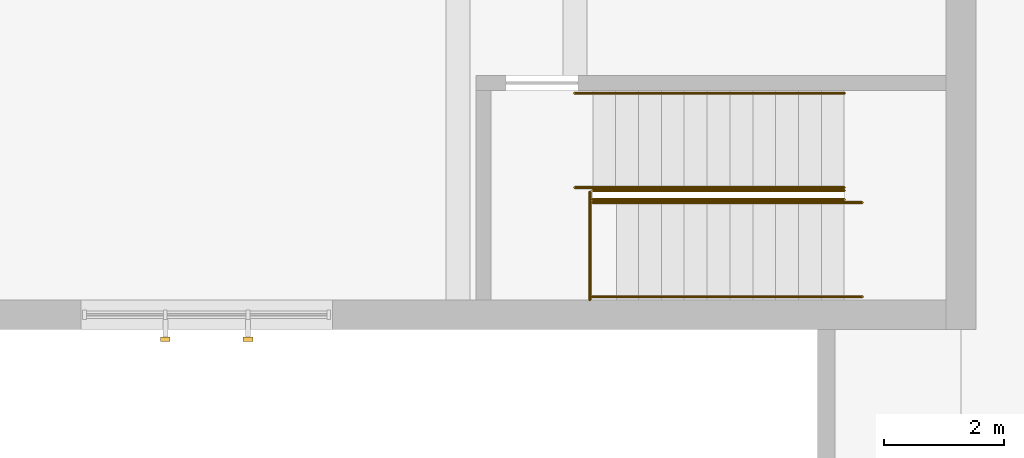
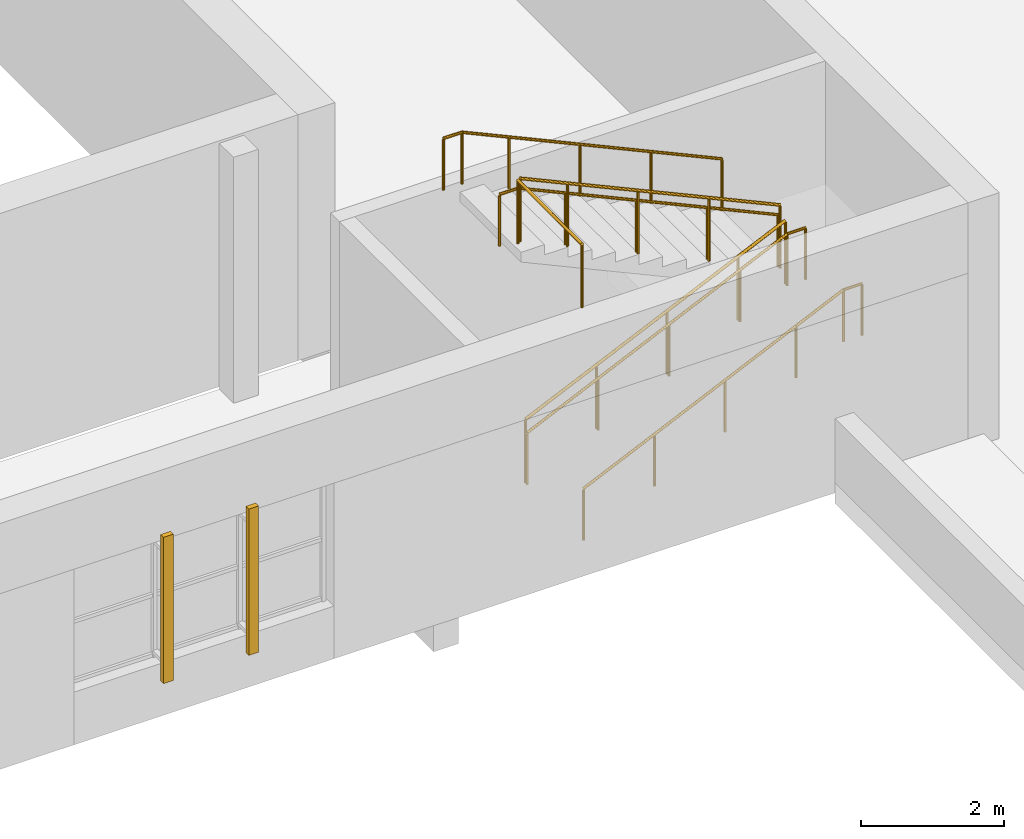
# One storey, part 56 of 60: 7 railings, 2 shading devices.
"""IFC4 building model written with IfcOpenShell, lengths in metres."""

import ifcopenshell
import ifcopenshell.guid

model = None  # the IFC model being written
_history = None  # IfcOwnerHistory: only IFC2X3 demands one
_inside = {}  # id of a spatial element -> (the spatial element, [elements in it])
_under = {}  # id of a project, library or spatial element -> (it, [spatial elements below it])
_declared = {}  # id of a project -> (the project, [libraries it declares])
_typed = {}  # id of a type object -> (the type object, [elements of that type])
_made_of = {}  # id of a material, layer set ... -> (it, [elements and type objects made of it])


def new_model(schema):
    """Start an empty IFC model of exactly this schema.

    Asked for "IFC4X3", IfcOpenShell would pick the latest addendum, in which some entities
    have other attributes; the version numbers below select the first issue.
    IFC2X3 requires an IfcOwnerHistory on every rooted entity: one is made here for all.
    """
    global model, _history
    if schema == "IFC4X3":
        model = ifcopenshell.file(schema_version=(4, 3, 0, 0))
    else:
        model = ifcopenshell.file(schema=schema)
    _inside.clear()
    _under.clear()
    _declared.clear()
    _typed.clear()
    _made_of.clear()
    _history = None
    if model.schema == "IFC2X3":
        org = make("IfcOrganization", Name="unknown")
        user = make(
            "IfcPersonAndOrganization",
            ThePerson=make("IfcPerson", FamilyName="unknown"),
            TheOrganization=org,
        )
        app = make(
            "IfcApplication",
            ApplicationDeveloper=org,
            Version="unknown",
            ApplicationFullName="unknown",
            ApplicationIdentifier="unknown",
        )
        _history = make(
            "IfcOwnerHistory",
            OwningUser=user,
            OwningApplication=app,
            ChangeAction="ADDED",
            CreationDate=0,
        )
    return model


def make(cls, **values):
    """One entity of the class cls with the attributes given. An attribute that is None is left unset."""
    return model.create_entity(
        cls, **{name: value for name, value in values.items() if value is not None}
    )


def rooted(cls, **values):
    """An entity with a GlobalId (a new one), such as an element, a storey or a relation."""
    return make(cls, GlobalId=ifcopenshell.guid.new(), OwnerHistory=_history, **values)


def si_unit(unit_type, name, prefix=None):
    """IfcSIUnit, for example si_unit("LENGTHUNIT", "METRE", prefix="MILLI")."""
    return make("IfcSIUnit", UnitType=unit_type, Prefix=prefix, Name=name)


def assignment(units):
    """IfcUnitAssignment: the units of a project."""
    return None if units is None else make("IfcUnitAssignment", Units=units)


def point(xyz):
    """IfcCartesianPoint."""
    return None if xyz is None else make("IfcCartesianPoint", Coordinates=xyz)


def direction(xyz):
    """IfcDirection."""
    return None if xyz is None else make("IfcDirection", DirectionRatios=xyz)


def frame(location, z_axis=None, x_axis=None):
    """IfcAxis2Placement3D, a coordinate frame: its origin and axes. An axis left out is left unset."""
    return make(
        "IfcAxis2Placement3D",
        Location=point(location),
        Axis=direction(z_axis),
        RefDirection=direction(x_axis),
    )


def frame_2d(location, x_axis=None):
    """IfcAxis2Placement2D, a coordinate frame in the plane: its origin and x axis."""
    return make(
        "IfcAxis2Placement2D", Location=point(location), RefDirection=direction(x_axis)
    )


def origin():
    """The frame at (0, 0, 0) with its axes left unset."""
    return frame((0.0, 0.0, 0.0))


def origin_2d():
    """The frame at (0, 0) in the plane with its x axis left unset."""
    return frame_2d((0.0, 0.0))


def place(relative_to, where):
    """IfcLocalPlacement: puts the frame where relative to a parent placement (None: the world)."""
    return make(
        "IfcLocalPlacement", PlacementRelTo=relative_to, RelativePlacement=where
    )


def context(
    kind, dimensions, precision=None, world=None, true_north=None, identifier=None
):
    """IfcGeometricRepresentationContext, for example the 3D "Model" context."""
    return make(
        "IfcGeometricRepresentationContext",
        ContextIdentifier=identifier,
        ContextType=kind,
        CoordinateSpaceDimension=dimensions,
        Precision=precision,
        WorldCoordinateSystem=world,
        TrueNorth=true_north,
    )


def subcontext(parent, identifier, kind, view, scale=None):
    """IfcGeometricRepresentationSubContext, for example "Body" below "Model"."""
    return make(
        "IfcGeometricRepresentationSubContext",
        ContextIdentifier=identifier,
        ContextType=kind,
        ParentContext=parent,
        TargetScale=scale,
        TargetView=view,
    )


def project(units=None, contexts=None):
    """IfcProject with its units and contexts."""
    return rooted(
        "IfcProject",
        Name="project",
        RepresentationContexts=contexts,
        UnitsInContext=assignment(units),
    )


def spatial(cls, under=None, at=None, **own):
    """A site, building, storey or space (cls), placed at a placement, below another one or the project."""
    s = rooted(cls, ObjectPlacement=at, **own)
    if under is not None:
        _under.setdefault(under.id(), (under, []))[1].append(s)
    return s


def profile(cls, at=None, kind="AREA", **sizes):
    """A parametric profile (cls). Its sizes go by their IFC names, for example OverallWidth=200.0."""
    return make(cls, ProfileType=kind, Position=at, **sizes)


def rectangle(**sizes):
    """IfcRectangleProfileDef."""
    return profile("IfcRectangleProfileDef", **sizes)


def circle(**sizes):
    """IfcCircleProfileDef."""
    return profile("IfcCircleProfileDef", **sizes)


def extrude(swept, where, along, depth):
    """IfcExtrudedAreaSolid: the profile swept, set in the frame where, extruded along a direction by depth."""
    return make(
        "IfcExtrudedAreaSolid",
        SweptArea=swept,
        Position=where,
        ExtrudedDirection=direction(along),
        Depth=depth,
    )


def shape(context_of_items, identifier, shape_type, items):
    """IfcShapeRepresentation: the items that make up one representation, for example the "Body"."""
    return make(
        "IfcShapeRepresentation",
        ContextOfItems=context_of_items,
        RepresentationIdentifier=identifier,
        RepresentationType=shape_type,
        Items=items,
    )


def material(Name=None, Category=None):
    """IfcMaterial."""
    return make("IfcMaterial", Name=Name, Category=Category)


def made_of(thing, what):
    """Note that an element or type object is made of a material, layer set ...; save() writes the relation."""
    if what is not None:
        _made_of.setdefault(what.id(), (what, []))[1].append(thing)
    return thing


def type_object(cls, material=None, **own):
    """A type object (cls), such as IfcWallType, which elements share."""
    return made_of(rooted(cls, **own), material)


def element(
    cls,
    number,
    at=None,
    inside=None,
    cuts=None,
    type_object=None,
    material=None,
    context=None,
    identifier="Body",
    shape_type=None,
    held_by="IfcProductDefinitionShape",
    body=None,
    shapes=None,
    **own,
):
    """One element of the class cls, such as IfcWall. Its Tag is "e" and its number.

    at: its placement. inside: the storey or other place that contains it. cuts: it is an
    opening in that element (IfcRelVoidsElement). A single representation is given by context,
    identifier, shape_type and body (its items); several are given by shapes. held_by: the class
    of the entity that holds the representations. save() writes the other relations.
    """
    e = rooted(cls, Tag="e%d" % number, ObjectPlacement=at, **own)
    if body is not None:
        shapes = [shape(context, identifier, shape_type, body)]
    if shapes is not None:
        e.Representation = make(held_by, Representations=shapes)
    if inside is not None:
        _inside.setdefault(inside.id(), (inside, []))[1].append(e)
    if cuts is not None:
        rooted(
            "IfcRelVoidsElement", RelatingBuildingElement=cuts, RelatedOpeningElement=e
        )
    if type_object is not None:
        _typed.setdefault(type_object.id(), (type_object, []))[1].append(e)
    return made_of(e, material)


def aggregate(whole, parts):
    """IfcRelAggregates: a whole, such as a stair, and the parts it consists of."""
    return rooted("IfcRelAggregates", RelatingObject=whole, RelatedObjects=parts)


def save(model, path):
    """Write the relations noted so far, then the file.

    IfcRelAggregates (storeys below a building ...), IfcRelContainedInSpatialStructure (elements
    in a storey), IfcRelDefinesByType, IfcRelAssociatesMaterial and IfcRelDeclares: one each for
    every whole, place, type object, material and project.
    """
    for whole, parts in _under.values():
        aggregate(whole, parts)
    for where, things in _inside.values():
        rooted(
            "IfcRelContainedInSpatialStructure",
            RelatedElements=things,
            RelatingStructure=where,
        )
    for kind, things in _typed.values():
        rooted("IfcRelDefinesByType", RelatedObjects=things, RelatingType=kind)
    for what, things in _made_of.values():
        rooted("IfcRelAssociatesMaterial", RelatedObjects=things, RelatingMaterial=what)
    for by, libraries in _declared.values():
        rooted("IfcRelDeclares", RelatingContext=by, RelatedDefinitions=libraries)
    model.write(path)


model = new_model("IFC4")

# Units and contexts
model_context = context("Model", 3, precision=1e-05, world=origin(), true_north=direction((0.0, 1.0)))
body_context = subcontext(model_context, "Body", "Model", "MODEL_VIEW")
ifc_project = project(units=[si_unit("LENGTHUNIT", "METRE"), si_unit("AREAUNIT", "SQUARE_METRE"), si_unit("VOLUMEUNIT", "CUBIC_METRE"), si_unit("PLANEANGLEUNIT", "RADIAN"), si_unit("MASSUNIT", "GRAM", prefix="KILO")], contexts=[model_context])

# Site, building, storey
site_placement = place(None, origin())
site = spatial("IfcSite", under=ifc_project, at=site_placement, CompositionType="ELEMENT")
building_placement = place(site_placement, origin())
building = spatial("IfcBuilding", under=site, at=building_placement, Name="Ljudholm Concert House", CompositionType="ELEMENT")
storey_placement = place(building_placement, frame((0.0, 0.0, 15.0)))
storey = spatial("IfcBuildingStorey", under=building, at=storey_placement, Name="L03", CompositionType="ELEMENT", Elevation=15.0)

# Shading devices
ifc_material_1 = material(Name="Aluminium extrusion with timber-grain PVDF finish", Category="aluminium")
shading_device_type = type_object("IfcShadingDeviceType", Name="FACADE FIN 80x160", PredefinedType="SHUTTER", material=ifc_material_1)
for number, where, z_axis, x_axis, name in (
    (1, (83.110107421875, 53.989990234375, 0.699951171875), (0.0, 0.0, 1.0), (0.0, -1.0, 0.0), "Facade fin"),
    (2, (84.489990234375, 53.989990234375, 0.699951171875), (0.0, 0.0, 1.0), (0.0, -1.0, 0.0), "Facade fin"),
):
    element("IfcShadingDevice", number, at=place(storey_placement, frame(where, z_axis=z_axis, x_axis=x_axis)), inside=storey, type_object=shading_device_type, Name=name, PredefinedType="SHUTTER", context=body_context, shape_type="SweptSolid", body=[
        extrude(rectangle(XDim=0.080078125, YDim=0.159912109375, at=origin_2d()), origin(), (0.0, 0.0, 1.0), 2.5),
    ])

# Railings
ifc_material_2 = material(Name="Steel ASTM A36", Category="steel")
railing_type_1 = type_object("IfcRailingType", Name="GUARD 1100", PredefinedType="GUARDRAIL", material=ifc_material_2)
railing_1_placement = place(storey_placement, frame((90.25, 56.324951171875, 0.175048828125)))
element("IfcRailing", 3, at=railing_1_placement, inside=storey, type_object=railing_type_1, Name="Guard", PredefinedType="GUARDRAIL", context=body_context, shape_type="SweptSolid", body=[
    extrude(circle(Radius=0.02490234375, at=origin_2d()), frame((0.0, 0.0, 1.0751953125), z_axis=(0.909101513409, 0.0, 0.416574649154), x_axis=(0.0, 1.0, 0.0)), (0.0, 0.0, 1.0), 1.260009765625),
    extrude(circle(Radius=0.02490234375, at=origin_2d()), frame((1.1455078125, 0.0, 1.60009765625), z_axis=(0.909028128292, 0.0, 0.416734762139), x_axis=(0.0, 1.0, 0.0)), (0.0, 0.0, 1.0), 1.26025390625),
    extrude(circle(Radius=0.02490234375, at=origin_2d()), frame((2.291015625, 0.0, 2.125), z_axis=(0.909067881245, 0.0, 0.416648037663), x_axis=(0.0, 1.0, 0.0)), (0.0, 0.0, 1.0), 1.259765625),
    extrude(circle(Radius=0.02490234375, at=origin_2d()), frame((3.436279296875, 0.0, 2.64990234375), z_axis=(0.909028128292, 0.0, 0.416734762139), x_axis=(0.0, 1.0, 0.0)), (0.0, 0.0, 1.0), 0.840087890625),
    extrude(circle(Radius=0.02099609375, at=origin_2d()), origin(), (0.0, 0.0, 1.0), 1.050048828125),
    extrude(circle(Radius=0.02099609375, at=origin_2d()), frame((1.1455078125, 0.0, 0.52490234375)), (0.0, 0.0, 1.0), 1.050048828125),
    extrude(circle(Radius=0.02099609375, at=origin_2d()), frame((2.291015625, 0.0, 1.050048828125)), (0.0, 0.0, 1.0), 1.050048828125),
    extrude(circle(Radius=0.02099609375, at=origin_2d()), frame((3.436279296875, 0.0, 1.574951171875)), (0.0, 0.0, 1.0), 1.050048828125),
    extrude(circle(Radius=0.02099609375, at=origin_2d()), frame((4.199951171875, 0.0, 1.925048828125)), (0.0, 0.0, 1.0), 1.050048828125),
])
railing_2_placement = place(storey_placement, frame((94.449951171875, 56.47509765625, 2.27490234375)))
element("IfcRailing", 4, at=railing_2_placement, inside=storey, type_object=railing_type_1, Name="Guard", PredefinedType="GUARDRAIL", context=body_context, shape_type="SweptSolid", body=[
    extrude(circle(Radius=0.02490234375, at=origin_2d()), frame((0.0, 0.0, 1.0751953125), z_axis=(-0.909028128292, 0.0, 0.416734762139), x_axis=(0.0, -1.0, 0.0)), (0.0, 0.0, 1.0), 1.26025390625),
    extrude(circle(Radius=0.02490234375, at=origin_2d()), frame((-1.1455078125, 0.0, 1.60009765625), z_axis=(-0.909067881245, 0.0, 0.416648037663), x_axis=(0.0, -1.0, 0.0)), (0.0, 0.0, 1.0), 1.259765625),
    extrude(circle(Radius=0.02490234375, at=origin_2d()), frame((-2.290771484375, 0.0, 2.125), z_axis=(-0.909028128292, 0.0, 0.416734762139), x_axis=(0.0, -1.0, 0.0)), (0.0, 0.0, 1.0), 1.26025390625),
    extrude(circle(Radius=0.02490234375, at=origin_2d()), frame((-3.436279296875, 0.0, 2.650390625), z_axis=(-0.909138199833, 0.0, 0.416494578121), x_axis=(0.0, -1.0, 0.0)), (0.0, 0.0, 1.0), 0.840087890625),
    extrude(circle(Radius=0.02099609375, at=origin_2d()), origin(), (0.0, 0.0, 1.0), 1.050048828125),
    extrude(circle(Radius=0.02099609375, at=origin_2d()), frame((-1.1455078125, 0.0, 0.525146484375)), (0.0, 0.0, 1.0), 1.050048828125),
    extrude(circle(Radius=0.02099609375, at=origin_2d()), frame((-2.290771484375, 0.0, 1.050048828125)), (0.0, 0.0, 1.0), 1.050048828125),
    extrude(circle(Radius=0.02099609375, at=origin_2d()), frame((-3.436279296875, 0.0, 1.5751953125)), (0.0, 0.0, 1.0), 1.050048828125),
    extrude(circle(Radius=0.02099609375, at=origin_2d()), frame((-4.199951171875, 0.0, 1.925048828125)), (0.0, 0.0, 1.0), 1.050048828125),
])
railing_3_placement = place(storey_placement, frame((90.199951171875, 54.64990234375, 4.199951171875)))
element("IfcRailing", 5, at=railing_3_placement, inside=storey, type_object=railing_type_1, Name="Guard", PredefinedType="GUARDRAIL", context=body_context, shape_type="SweptSolid", body=[
    extrude(circle(Radius=0.02490234375, at=origin_2d()), frame((0.0, 0.0, 1.0751953125), z_axis=(0.0, 1.0, 0.0), x_axis=(-1.0, 0.0, 0.0)), (0.0, 0.0, 1.0), 1.800048828125),
    extrude(circle(Radius=0.02099609375, at=origin_2d()), origin(), (0.0, 0.0, 1.0), 1.050048828125),
    extrude(circle(Radius=0.02099609375, at=origin_2d()), frame((0.0, 1.800048828125, 0.0)), (0.0, 0.0, 1.0), 1.050048828125),
])
ifc_material_3 = material(Name="Steel ASTM A36", Category="steel")
railing_type_2 = type_object("IfcRailingType", Name="HANDRAIL 900", PredefinedType="HANDRAIL", material=ifc_material_3)
for number, where, name in (
    (6, (90.25, 56.27490234375, 0.175048828125), "Handrail"),
    (7, (90.25, 54.699951171875, 0.175048828125), "Handrail"),
):
    element("IfcRailing", number, at=place(storey_placement, frame(where)), inside=storey, type_object=railing_type_2, Name=name, PredefinedType="HANDRAIL", context=body_context, shape_type="SweptSolid", body=[
        extrude(circle(Radius=0.0224609375, at=origin_2d()), frame((0.0, 0.0, 0.87744140625), z_axis=(0.909101513409, 0.0, 0.416574649154), x_axis=(0.0, 1.0, 0.0)), (0.0, 0.0, 1.0), 1.260009765625),
        extrude(circle(Radius=0.0224609375, at=origin_2d()), frame((1.1455078125, 0.0, 1.40234375), z_axis=(0.909028128292, 0.0, 0.416734762139), x_axis=(0.0, 1.0, 0.0)), (0.0, 0.0, 1.0), 1.26025390625),
        extrude(circle(Radius=0.0224609375, at=origin_2d()), frame((2.291015625, 0.0, 1.927490234375), z_axis=(0.909067881245, 0.0, 0.416648037663), x_axis=(0.0, 1.0, 0.0)), (0.0, 0.0, 1.0), 1.259765625),
        extrude(circle(Radius=0.0224609375, at=origin_2d()), frame((3.436279296875, 0.0, 2.452392578125), z_axis=(0.909028128292, 0.0, 0.416734762139), x_axis=(0.0, 1.0, 0.0)), (0.0, 0.0, 1.0), 0.840087890625),
        extrude(circle(Radius=0.0224609375, at=origin_2d()), frame((4.199951171875, 0.0, 2.802490234375), z_axis=(1.0, 0.0, 0.0), x_axis=(0.0, 1.0, 0.0)), (0.0, 0.0, 1.0), 0.300048828125),
        extrude(circle(Radius=0.02099609375, at=origin_2d()), origin(), (0.0, 0.0, 1.0), 0.85498046875),
        extrude(circle(Radius=0.02099609375, at=origin_2d()), frame((1.1455078125, 0.0, 0.52490234375)), (0.0, 0.0, 1.0), 0.85498046875),
        extrude(circle(Radius=0.02099609375, at=origin_2d()), frame((2.291015625, 0.0, 1.050048828125)), (0.0, 0.0, 1.0), 0.85498046875),
        extrude(circle(Radius=0.02099609375, at=origin_2d()), frame((3.436279296875, 0.0, 1.574951171875)), (0.0, 0.0, 1.0), 0.85498046875),
        extrude(circle(Radius=0.02099609375, at=origin_2d()), frame((4.199951171875, 0.0, 1.925048828125)), (0.0, 0.0, 1.0), 0.85498046875),
        extrude(circle(Radius=0.02099609375, at=origin_2d()), frame((4.5, 0.0, 1.925048828125)), (0.0, 0.0, 1.0), 0.85498046875),
    ])
railing_4_placement = place(storey_placement, frame((94.449951171875, 56.52490234375, 2.27490234375)))
element("IfcRailing", 8, at=railing_4_placement, inside=storey, type_object=railing_type_2, Name="Handrail", PredefinedType="HANDRAIL", context=body_context, shape_type="SweptSolid", body=[
    extrude(circle(Radius=0.0224609375, at=origin_2d()), frame((0.0, 0.0, 0.87744140625), z_axis=(-0.909028128292, 0.0, 0.416734762139), x_axis=(0.0, -1.0, 0.0)), (0.0, 0.0, 1.0), 1.26025390625),
    extrude(circle(Radius=0.0224609375, at=origin_2d()), frame((-1.1455078125, 0.0, 1.402587890625), z_axis=(-0.909067881245, 0.0, 0.416648037663), x_axis=(0.0, -1.0, 0.0)), (0.0, 0.0, 1.0), 1.259765625),
    extrude(circle(Radius=0.0224609375, at=origin_2d()), frame((-2.290771484375, 0.0, 1.927490234375), z_axis=(-0.909028128292, 0.0, 0.416734762139), x_axis=(0.0, -1.0, 0.0)), (0.0, 0.0, 1.0), 1.26025390625),
    extrude(circle(Radius=0.0224609375, at=origin_2d()), frame((-3.436279296875, 0.0, 2.45263671875), z_axis=(-0.909138199833, 0.0, 0.416494578121), x_axis=(0.0, -1.0, 0.0)), (0.0, 0.0, 1.0), 0.840087890625),
    extrude(circle(Radius=0.0224609375, at=origin_2d()), frame((-4.199951171875, 0.0, 2.802490234375), z_axis=(-1.0, 0.0, 0.0), x_axis=(0.0, -1.0, 0.0)), (0.0, 0.0, 1.0), 0.300048828125),
    extrude(circle(Radius=0.02099609375, at=origin_2d()), origin(), (0.0, 0.0, 1.0), 0.85498046875),
    extrude(circle(Radius=0.02099609375, at=origin_2d()), frame((-1.1455078125, 0.0, 0.525146484375)), (0.0, 0.0, 1.0), 0.85498046875),
    extrude(circle(Radius=0.02099609375, at=origin_2d()), frame((-2.290771484375, 0.0, 1.050048828125)), (0.0, 0.0, 1.0), 0.85498046875),
    extrude(circle(Radius=0.02099609375, at=origin_2d()), frame((-3.436279296875, 0.0, 1.5751953125)), (0.0, 0.0, 1.0), 0.85498046875),
    extrude(circle(Radius=0.02099609375, at=origin_2d()), frame((-4.199951171875, 0.0, 1.925048828125)), (0.0, 0.0, 1.0), 0.85498046875),
    extrude(circle(Radius=0.02099609375, at=origin_2d()), frame((-4.5, 0.0, 1.925048828125)), (0.0, 0.0, 1.0), 0.85498046875),
])
railing_5_placement = place(storey_placement, frame((94.449951171875, 58.10009765625, 2.27490234375)))
element("IfcRailing", 9, at=railing_5_placement, inside=storey, type_object=railing_type_2, Name="Handrail", PredefinedType="HANDRAIL", context=body_context, shape_type="SweptSolid", body=[
    extrude(circle(Radius=0.0224609375, at=origin_2d()), frame((0.0, 0.0, 0.87744140625), z_axis=(-0.909028128292, 0.0, 0.416734762139), x_axis=(0.0, -1.0, 0.0)), (0.0, 0.0, 1.0), 1.26025390625),
    extrude(circle(Radius=0.0224609375, at=origin_2d()), frame((-1.1455078125, 0.0, 1.402587890625), z_axis=(-0.909067881245, 0.0, 0.416648037663), x_axis=(0.0, -1.0, 0.0)), (0.0, 0.0, 1.0), 1.259765625),
    extrude(circle(Radius=0.0224609375, at=origin_2d()), frame((-2.290771484375, 0.0, 1.927490234375), z_axis=(-0.909028128292, 0.0, 0.416734762139), x_axis=(0.0, -1.0, 0.0)), (0.0, 0.0, 1.0), 1.26025390625),
    extrude(circle(Radius=0.0224609375, at=origin_2d()), frame((-3.436279296875, 0.0, 2.45263671875), z_axis=(-0.909138199833, 0.0, 0.416494578121), x_axis=(0.0, -1.0, 0.0)), (0.0, 0.0, 1.0), 0.840087890625),
    extrude(circle(Radius=0.0224609375, at=origin_2d()), frame((-4.199951171875, 0.0, 2.802490234375), z_axis=(-1.0, 0.0, 0.0), x_axis=(0.0, -1.0, 0.0)), (0.0, 0.0, 1.0), 0.300048828125),
    extrude(circle(Radius=0.02099609375, at=origin_2d()), origin(), (0.0, 0.0, 1.0), 0.85498046875),
    extrude(circle(Radius=0.02099609375, at=origin_2d()), frame((-1.1455078125, 0.0, 0.525146484375)), (0.0, 0.0, 1.0), 0.85498046875),
    extrude(circle(Radius=0.02099609375, at=origin_2d()), frame((-2.290771484375, 0.0, 1.050048828125)), (0.0, 0.0, 1.0), 0.85498046875),
    extrude(circle(Radius=0.02099609375, at=origin_2d()), frame((-3.436279296875, 0.0, 1.5751953125)), (0.0, 0.0, 1.0), 0.85498046875),
    extrude(circle(Radius=0.02099609375, at=origin_2d()), frame((-4.199951171875, 0.0, 1.925048828125)), (0.0, 0.0, 1.0), 0.85498046875),
    extrude(circle(Radius=0.02099609375, at=origin_2d()), frame((-4.5, 0.0, 1.925048828125)), (0.0, 0.0, 1.0), 0.85498046875),
])

save(model, "model.ifc")
